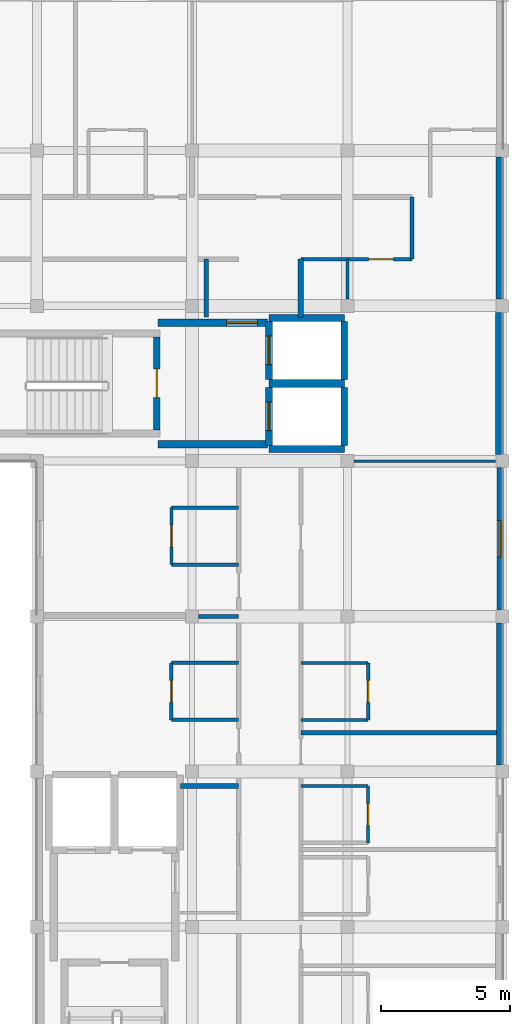
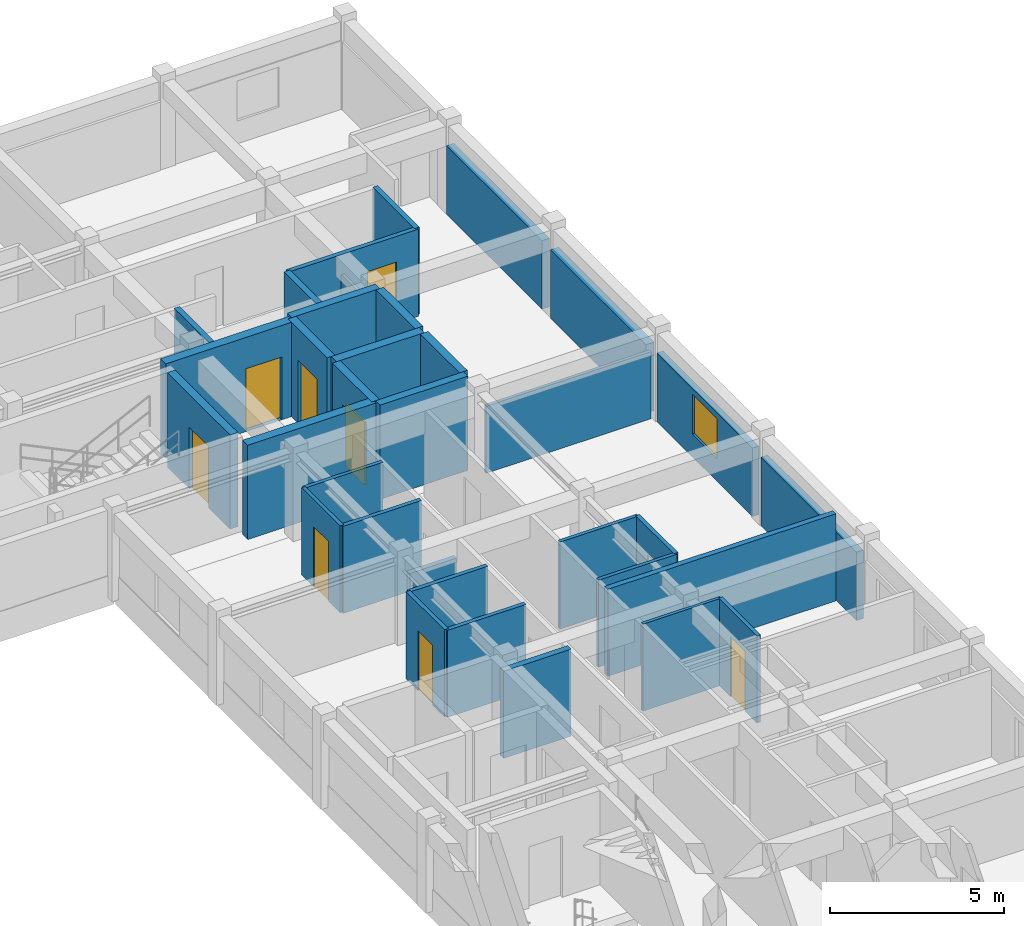
# One storey, part 6 of 14: 34 walls, 9 doors, 1 window, 10 openings.
"""IFC4 building model written with IfcOpenShell, lengths in metres."""

from ifc_helpers import new_model, si_unit, direction, frame, frame_2d, origin, place, context, subcontext, project, spatial, rectangle, extrude, material, layer, layer_set, type_object, element, fill, save


model = new_model("IFC4")

# Units and contexts
model_context = context("Model", 3, precision=1e-05, world=origin(), true_north=direction((0.0, 1.0)))
body_context = subcontext(model_context, "Body", "Model", "MODEL_VIEW")
ifc_project = project(units=[si_unit("LENGTHUNIT", "METRE"), si_unit("AREAUNIT", "SQUARE_METRE"), si_unit("VOLUMEUNIT", "CUBIC_METRE"), si_unit("PLANEANGLEUNIT", "RADIAN"), si_unit("MASSUNIT", "GRAM", prefix="KILO"), si_unit("THERMODYNAMICTEMPERATUREUNIT", "KELVIN"), si_unit("POWERUNIT", "WATT")], contexts=[model_context])

# Site, building, storey
site_placement = place(None, origin())
site = spatial("IfcSite", under=ifc_project, at=site_placement, CompositionType="ELEMENT")
building_placement = place(site_placement, origin())
building = spatial("IfcBuilding", under=site, at=building_placement, Name="Phaisarnlok Congress Hotel", CompositionType="ELEMENT")
storey_placement = place(building_placement, frame((0.0, 0.0, 44.699951171875)))
storey = spatial("IfcBuildingStorey", under=building, at=storey_placement, Name="L11", CompositionType="ELEMENT", Elevation=44.699951171875)

# Wall, opening, window
ifc_material_1 = material(Name="Concrete C40/50", Category="concrete")
ifc_layer_1 = layer(ifc_material_1, 0.2099609375, Name="Concrete C40/50")
ifc_layer_set_1 = layer_set([ifc_layer_1], Name="Concrete C40/50")
wall_type_1 = type_object("IfcWallType", Name="WL-EXT-210", PredefinedType="SOLIDWALL", material=ifc_layer_set_1)
wall_1_placement = place(storey_placement, frame((179.89501953125, 102.2548828125, 0.0), z_axis=(0.0, 0.0, 1.0), x_axis=(0.0, 1.0, 0.0)))
wall_1 = element("IfcWall", 1, at=wall_1_placement, inside=storey, type_object=wall_type_1, Name="Exterior wall EW-07 (L11)", PredefinedType="SOLIDWALL", context=body_context, shape_type="SweptSolid", body=[
    extrude(rectangle(XDim=5.490234375, YDim=0.2099609375, at=frame_2d((2.7451171875, 0.0))), origin(), (0.0, 0.0, 1.0), 2.400146484375),
])
opening_1_placement = place(wall_1_placement, frame((2.044921875, 0.0, 0.800048828125)))
opening_1 = element("IfcOpeningElement", 2, at=opening_1_placement, cuts=wall_1, Name="Opening W-13", PredefinedType="OPENING", context=body_context, shape_type="SweptSolid", body=[
    extrude(rectangle(XDim=1.39990234375, YDim=1.39990234375, at=frame_2d((0.699951171875, 0.699951171875))), frame((0.0, 0.114990234375, 0.0), z_axis=(0.0, -1.0, 0.0), x_axis=(1.0, 0.0, 0.0)), (0.0, 0.0, 1.0), 0.22998046875),
])
ifc_material_2 = material(Name="Thermally Broken Aluminium & Low-E Double Glazing", Category="aluminium")
window_type = type_object("IfcWindowType", Name="WIN-POD-1400", PartitioningType="SINGLE_PANEL", PredefinedType="WINDOW", material=ifc_material_2)
window_placement = place(opening_1_placement, origin())
window = element("IfcWindow", 3, at=window_placement, inside=storey, type_object=window_type, Name="Guestroom window W-13 (L11)", OverallHeight=1.39990234375, OverallWidth=1.39990234375, PartitioningType="SINGLE_PANEL", PredefinedType="WINDOW", context=body_context, shape_type="SweptSolid", body=[
    extrude(rectangle(XDim=1.39990234375, YDim=1.39990234375, at=frame_2d((0.699951171875, 0.699951171875))), frame((0.0, 0.030029296875, 0.0), z_axis=(0.0, -1.0, 0.0), x_axis=(1.0, 0.0, 0.0)), (0.0, 0.0, 1.0), 0.06005859375),
])
fill(opening_1, window)

# Walls
ifc_layer_2 = layer(ifc_material_1, 0.22998046875, Name="Concrete C40/50")
ifc_layer_set_2 = layer_set([ifc_layer_2], Name="Concrete C40/50")
wall_type_2 = type_object("IfcWallType", Name="WL-EXT-230", PredefinedType="SOLIDWALL", material=ifc_layer_set_2)
wall_2_placement = place(storey_placement, frame((179.885009765625, 96.2548828125, 0.0), z_axis=(0.0, 0.0, 1.0), x_axis=(0.0, 1.0, 0.0)))
element("IfcWall", 4, at=wall_2_placement, inside=storey, type_object=wall_type_2, Name="Exterior wall EW-06 (L11)", PredefinedType="SOLIDWALL", context=body_context, shape_type="SweptSolid", body=[
    extrude(rectangle(XDim=5.490234375, YDim=0.22998046875, at=frame_2d((2.7451171875, 0.0))), origin(), (0.0, 0.0, 1.0), 2.400146484375),
])
ifc_layer_3 = layer(ifc_material_1, 0.25, Name="Concrete C40/50")
ifc_layer_set_3 = layer_set([ifc_layer_3], Name="Concrete C40/50")
wall_type_3 = type_object("IfcWallType", Name="WL-EXT-250", PredefinedType="SOLIDWALL", material=ifc_layer_set_3)
wall_3_placement = place(storey_placement, frame((179.875, 114.2548828125, 0.0), z_axis=(0.0, 0.0, 1.0), x_axis=(0.0, 1.0, 0.0)))
element("IfcWall", 5, at=wall_3_placement, inside=storey, type_object=wall_type_3, Name="Exterior wall EW-05 (L11)", PredefinedType="SOLIDWALL", context=body_context, shape_type="SweptSolid", body=[
    extrude(rectangle(XDim=5.490234375, YDim=0.25, at=frame_2d((2.7451171875, 0.0))), origin(), (0.0, 0.0, 1.0), 2.400146484375),
])
ifc_layer_4 = layer(ifc_material_1, 0.27001953125, Name="Concrete C40/50")
ifc_layer_set_4 = layer_set([ifc_layer_4], Name="Concrete C40/50")
wall_type_4 = type_object("IfcWallType", Name="WL-EXT-270", PredefinedType="SOLIDWALL", material=ifc_layer_set_4)
wall_4_placement = place(storey_placement, frame((179.864990234375, 108.2548828125, 0.0), z_axis=(0.0, 0.0, 1.0), x_axis=(0.0, 1.0, 0.0)))
element("IfcWall", 6, at=wall_4_placement, inside=storey, type_object=wall_type_4, Name="Exterior wall EW-04 (L11)", PredefinedType="SOLIDWALL", context=body_context, shape_type="SweptSolid", body=[
    extrude(rectangle(XDim=5.490234375, YDim=0.27001953125, at=frame_2d((2.7451171875, 0.0))), origin(), (0.0, 0.0, 1.0), 2.400146484375),
])
ifc_material_3 = material(Name="Service Riser Shaftwall Partition", Category="gypsum")
ifc_layer_5 = layer(ifc_material_3, 0.10498046875, Name="Service Riser Shaftwall Partition")
ifc_layer_set_5 = layer_set([ifc_layer_5], Name="Service Riser Shaftwall Partition")
wall_type_5 = type_object("IfcWallType", Name="WL-INT-105", PredefinedType="PARTITIONING", material=ifc_layer_set_5)
wall_5_placement = place(storey_placement, frame((174.0, 114.2548828125, 0.0), z_axis=(0.0, 0.0, 1.0), x_axis=(0.0, 1.0, 0.0)))
element("IfcWall", 7, at=wall_5_placement, inside=storey, type_object=wall_type_5, Name="Interior partition wall IW-08 (L11)", PredefinedType="PARTITIONING", context=body_context, shape_type="SweptSolid", body=[
    extrude(rectangle(XDim=1.545166015625, YDim=0.10498046875, at=frame_2d((0.7724609375, 0.0))), origin(), (0.0, 0.0, 1.0), 2.35009765625),
])
wall_6_placement = place(storey_placement, frame((172.199951171875, 95.449951171875, 0.0), z_axis=(0.0, 0.0, 1.0), x_axis=(1.0, 0.0, 0.0)))
element("IfcWall", 8, at=wall_6_placement, inside=storey, type_object=wall_type_5, Name="Interior partition wall IW-08 (L11)", PredefinedType="PARTITIONING", context=body_context, shape_type="SweptSolid", body=[
    extrude(rectangle(XDim=2.60009765625, YDim=0.10498046875, at=frame_2d((1.300048828125, 0.0))), origin(), (0.0, 0.0, 1.0), 3.050048828125),
])
wall_7_placement = place(storey_placement, frame((174.2548828125, 108.0, 0.0), z_axis=(0.0, 0.0, 1.0), x_axis=(1.0, 0.0, 0.0)))
element("IfcWall", 9, at=wall_7_placement, inside=storey, type_object=wall_type_5, Name="Interior partition wall IW-08 (L11)", PredefinedType="PARTITIONING", context=body_context, shape_type="SweptSolid", body=[
    extrude(rectangle(XDim=5.465087890625, YDim=0.10498046875, at=frame_2d((2.732421875, 0.0))), origin(), (0.0, 0.0, 1.0), 2.35009765625),
])

# Wall, opening, door
ifc_material_4 = material(Name="Lightweight Metal-Stud Gypsum Partition", Category="gypsum")
ifc_layer_6 = layer(ifc_material_4, 0.1201171875, Name="Lightweight Metal-Stud Gypsum Partition")
ifc_layer_set_6 = layer_set([ifc_layer_6], Name="Lightweight Metal-Stud Gypsum Partition")
wall_type_6 = type_object("IfcWallType", Name="WL-INT-120", PredefinedType="PARTITIONING", material=ifc_layer_set_6)
wall_8_placement = place(storey_placement, frame((167.199951171875, 104.0, 0.0), z_axis=(0.0, 0.0, 1.0), x_axis=(0.0, 1.0, 0.0)))
wall_8 = element("IfcWall", 10, at=wall_8_placement, inside=storey, type_object=wall_type_6, Name="Interior partition wall IW-07 (L11)", PredefinedType="PARTITIONING", context=body_context, shape_type="SweptSolid", body=[
    extrude(rectangle(XDim=2.199951171875, YDim=0.1201171875, at=frame_2d((1.10009765625, 0.0))), origin(), (0.0, 0.0, 1.0), 3.050048828125),
])
opening_2_placement = place(wall_8_placement, frame((0.675048828125, 0.0, 0.0)))
opening_2 = element("IfcOpeningElement", 11, at=opening_2_placement, cuts=wall_8, Name="Opening D-0671", PredefinedType="OPENING", context=body_context, shape_type="SweptSolid", body=[
    extrude(rectangle(XDim=0.85009765625, YDim=2.10009765625, at=frame_2d((0.425048828125, 1.050048828125))), frame((0.0, 0.070068359375, 0.0), z_axis=(0.0, -1.0, 0.0), x_axis=(1.0, 0.0, 0.0)), (0.0, 0.0, 1.0), 0.14013671875),
])
ifc_material_5 = material(Name="Moisture-Resistant Lacquered Timber", Category="wood")
door_type_1 = type_object("IfcDoorType", Name="DR-BATH-850", OperationType="NOTDEFINED", PredefinedType="DOOR", material=ifc_material_5)
door_1_placement = place(opening_2_placement, origin())
door_1 = element("IfcDoor", 12, at=door_1_placement, inside=storey, type_object=door_type_1, Name="Interior door D-0671 (L11)", OperationType="SINGLE_SWING_LEFT", OverallHeight=2.10009765625, OverallWidth=0.85009765625, PredefinedType="DOOR", context=body_context, shape_type="SweptSolid", body=[
    extrude(rectangle(XDim=0.85009765625, YDim=2.10009765625, at=frame_2d((0.425048828125, 1.050048828125))), frame((0.0, 0.02490234375, 0.0), z_axis=(0.0, -1.0, 0.0), x_axis=(1.0, 0.0, 0.0)), (0.0, 0.0, 1.0), 0.050048828125),
])
fill(opening_2, door_1)

wall_9_placement = place(storey_placement, frame((174.800048828125, 93.25, 0.0), z_axis=(0.0, 0.0, 1.0), x_axis=(0.0, 1.0, 0.0)))
wall_9 = element("IfcWall", 13, at=wall_9_placement, inside=storey, type_object=wall_type_6, Name="Interior partition wall IW-07 (L11)", PredefinedType="PARTITIONING", context=body_context, shape_type="SweptSolid", body=[
    extrude(rectangle(XDim=2.199951171875, YDim=0.1201171875, at=frame_2d((1.10009765625, 0.0))), origin(), (0.0, 0.0, 1.0), 3.050048828125),
])
opening_3_placement = place(wall_9_placement, frame((0.675048828125, 0.0, 0.0)))
opening_3 = element("IfcOpeningElement", 14, at=opening_3_placement, cuts=wall_9, Name="Opening D-0662", PredefinedType="OPENING", context=body_context, shape_type="SweptSolid", body=[
    extrude(rectangle(XDim=0.85009765625, YDim=2.10009765625, at=frame_2d((0.425048828125, 1.050048828125))), frame((0.0, 0.070068359375, 0.0), z_axis=(0.0, -1.0, 0.0), x_axis=(1.0, 0.0, 0.0)), (0.0, 0.0, 1.0), 0.14013671875),
])
door_2_placement = place(opening_3_placement, origin())
door_2 = element("IfcDoor", 15, at=door_2_placement, inside=storey, type_object=door_type_1, Name="Interior door D-0662 (L11)", OperationType="SINGLE_SWING_RIGHT", OverallHeight=2.10009765625, OverallWidth=0.85009765625, PredefinedType="DOOR", context=body_context, shape_type="SweptSolid", body=[
    extrude(rectangle(XDim=0.85009765625, YDim=2.10009765625, at=frame_2d((0.425048828125, 1.050048828125))), frame((0.0, 0.02490234375, 0.0), z_axis=(0.0, -1.0, 0.0), x_axis=(1.0, 0.0, 0.0)), (0.0, 0.0, 1.0), 0.050048828125),
])
fill(opening_3, door_2)

# Walls
for number, where, z_axis, x_axis, name in (
    (16, (172.199951171875, 98.0, 0.0), (0.0, 0.0, 1.0), (1.0, 0.0, 0.0), "Interior partition wall IW-07 (L11)"),
    (17, (172.199951171875, 100.199951171875, 0.0), (0.0, 0.0, 1.0), (1.0, 0.0, 0.0), "Interior partition wall IW-07 (L11)"),
    (18, (167.199951171875, 106.199951171875, 0.0), (0.0, 0.0, 1.0), (1.0, 0.0, 0.0), "Interior partition wall IW-07 (L11)"),
):
    element("IfcWall", number, at=place(storey_placement, frame(where, z_axis=z_axis, x_axis=x_axis)), inside=storey, type_object=wall_type_6, Name=name, PredefinedType="PARTITIONING", context=body_context, shape_type="SweptSolid", body=[
        extrude(rectangle(XDim=2.60009765625, YDim=0.1201171875, at=frame_2d((1.300048828125, 0.0))), origin(), (0.0, 0.0, 1.0), 3.050048828125),
    ])

# Wall, opening, door
ifc_material_6 = material(Name="Moisture-Resistant Gypsum Partition", Category="gypsum")
ifc_layer_7 = layer(ifc_material_6, 0.135009765625, Name="Moisture-Resistant Gypsum Partition")
ifc_layer_set_7 = layer_set([ifc_layer_7], Name="Moisture-Resistant Gypsum Partition")
wall_type_7 = type_object("IfcWallType", Name="WL-INT-135", PredefinedType="PARTITIONING", material=ifc_layer_set_7)
wall_10_placement = place(storey_placement, frame((167.199951171875, 98.0, 0.0), z_axis=(0.0, 0.0, 1.0), x_axis=(0.0, 1.0, 0.0)))
wall_10 = element("IfcWall", 19, at=wall_10_placement, inside=storey, type_object=wall_type_7, Name="Interior partition wall IW-06 (L11)", PredefinedType="PARTITIONING", context=body_context, shape_type="SweptSolid", body=[
    extrude(rectangle(XDim=2.199951171875, YDim=0.135009765625, at=frame_2d((1.10009765625, 0.0))), origin(), (0.0, 0.0, 1.0), 3.050048828125),
])
opening_4_placement = place(wall_10_placement, frame((0.675048828125, 0.0, 0.0)))
opening_4 = element("IfcOpeningElement", 20, at=opening_4_placement, cuts=wall_10, Name="Opening D-0669", PredefinedType="OPENING", context=body_context, shape_type="SweptSolid", body=[
    extrude(rectangle(XDim=0.85009765625, YDim=2.10009765625, at=frame_2d((0.425048828125, 1.050048828125))), frame((0.0, 0.07763671875, 0.0), z_axis=(0.0, -1.0, 0.0), x_axis=(1.0, 0.0, 0.0)), (0.0, 0.0, 1.0), 0.155029296875),
])
door_3_placement = place(opening_4_placement, origin())
door_3 = element("IfcDoor", 21, at=door_3_placement, inside=storey, type_object=door_type_1, Name="Interior door D-0669 (L11)", OperationType="SINGLE_SWING_LEFT", OverallHeight=2.10009765625, OverallWidth=0.85009765625, PredefinedType="DOOR", context=body_context, shape_type="SweptSolid", body=[
    extrude(rectangle(XDim=0.85009765625, YDim=2.10009765625, at=frame_2d((0.425048828125, 1.050048828125))), frame((0.0, 0.02490234375, 0.0), z_axis=(0.0, -1.0, 0.0), x_axis=(1.0, 0.0, 0.0)), (0.0, 0.0, 1.0), 0.050048828125),
])
fill(opening_4, door_3)

wall_11_placement = place(storey_placement, frame((174.800048828125, 98.0, 0.0), z_axis=(0.0, 0.0, 1.0), x_axis=(0.0, 1.0, 0.0)))
wall_11 = element("IfcWall", 22, at=wall_11_placement, inside=storey, type_object=wall_type_7, Name="Interior partition wall IW-06 (L11)", PredefinedType="PARTITIONING", context=body_context, shape_type="SweptSolid", body=[
    extrude(rectangle(XDim=2.199951171875, YDim=0.135009765625, at=frame_2d((1.10009765625, 0.0))), origin(), (0.0, 0.0, 1.0), 3.050048828125),
])
opening_5_placement = place(wall_11_placement, frame((0.675048828125, 0.0, 0.0)))
opening_5 = element("IfcOpeningElement", 23, at=opening_5_placement, cuts=wall_11, Name="Opening D-0664", PredefinedType="OPENING", context=body_context, shape_type="SweptSolid", body=[
    extrude(rectangle(XDim=0.85009765625, YDim=2.10009765625, at=frame_2d((0.425048828125, 1.050048828125))), frame((0.0, 0.07763671875, 0.0), z_axis=(0.0, -1.0, 0.0), x_axis=(1.0, 0.0, 0.0)), (0.0, 0.0, 1.0), 0.155029296875),
])
door_4_placement = place(opening_5_placement, origin())
door_4 = element("IfcDoor", 24, at=door_4_placement, inside=storey, type_object=door_type_1, Name="Interior door D-0664 (L11)", OperationType="SINGLE_SWING_RIGHT", OverallHeight=2.10009765625, OverallWidth=0.85009765625, PredefinedType="DOOR", context=body_context, shape_type="SweptSolid", body=[
    extrude(rectangle(XDim=0.85009765625, YDim=2.10009765625, at=frame_2d((0.425048828125, 1.050048828125))), frame((0.0, 0.02490234375, 0.0), z_axis=(0.0, -1.0, 0.0), x_axis=(1.0, 0.0, 0.0)), (0.0, 0.0, 1.0), 0.050048828125),
])
fill(opening_5, door_4)

# Walls
for number, where, z_axis, x_axis, name in (
    (25, (167.199951171875, 98.0, 0.0), (0.0, 0.0, 1.0), (1.0, 0.0, 0.0), "Interior partition wall IW-06 (L11)"),
    (26, (167.199951171875, 100.199951171875, 0.0), (0.0, 0.0, 1.0), (1.0, 0.0, 0.0), "Interior partition wall IW-06 (L11)"),
    (27, (167.199951171875, 104.0, 0.0), (0.0, 0.0, 1.0), (1.0, 0.0, 0.0), "Interior partition wall IW-06 (L11)"),
):
    element("IfcWall", number, at=place(storey_placement, frame(where, z_axis=z_axis, x_axis=x_axis)), inside=storey, type_object=wall_type_7, Name=name, PredefinedType="PARTITIONING", context=body_context, shape_type="SweptSolid", body=[
        extrude(rectangle(XDim=2.60009765625, YDim=0.135009765625, at=frame_2d((1.300048828125, 0.0))), origin(), (0.0, 0.0, 1.0), 3.050048828125),
    ])

# Wall, opening, door
ifc_material_7 = material(Name="Acoustic Gypsum Board & Mineral Wool", Category="gypsum")
ifc_layer_8 = layer(ifc_material_7, 0.14990234375, Name="Acoustic Gypsum Board & Mineral Wool")
ifc_layer_set_8 = layer_set([ifc_layer_8], Name="Acoustic Gypsum Board & Mineral Wool")
wall_type_8 = type_object("IfcWallType", Name="WL-INT-150", PredefinedType="PARTITIONING", material=ifc_layer_set_8)
wall_12_placement = place(storey_placement, frame((172.199951171875, 115.800048828125, 0.0), z_axis=(0.0, 0.0, 1.0), x_axis=(1.0, 0.0, 0.0)))
wall_12 = element("IfcWall", 28, at=wall_12_placement, inside=storey, type_object=wall_type_8, Name="Interior partition wall IW-05 (L11)", PredefinedType="PARTITIONING", context=body_context, shape_type="SweptSolid", body=[
    extrude(rectangle(XDim=4.300048828125, YDim=0.14990234375, at=frame_2d((2.14990234375, 0.0))), origin(), (0.0, 0.0, 1.0), 3.050048828125),
])
opening_6_placement = place(wall_12_placement, frame((2.6201171875, 0.0, 0.0)))
opening_6 = element("IfcOpeningElement", 29, at=opening_6_placement, cuts=wall_12, Name="Opening D-0666", PredefinedType="OPENING", context=body_context, shape_type="SweptSolid", body=[
    extrude(rectangle(XDim=0.9599609375, YDim=2.14990234375, at=frame_2d((0.47998046875, 1.074951171875))), frame((0.0, 0.0849609375, 0.0), z_axis=(0.0, -1.0, 0.0), x_axis=(1.0, 0.0, 0.0)), (0.0, 0.0, 1.0), 0.169921875),
])
ifc_material_8 = material(Name="Fire-Rated Steel Frame & Timber Leaf", Category="steel")
door_type_2 = type_object("IfcDoorType", Name="DR-FD60-950", OperationType="NOTDEFINED", PredefinedType="DOOR", material=ifc_material_8)
door_5_placement = place(opening_6_placement, origin())
door_5 = element("IfcDoor", 30, at=door_5_placement, inside=storey, type_object=door_type_2, Name="Interior door D-0666 (L11)", OperationType="SINGLE_SWING_RIGHT", OverallHeight=2.14990234375, OverallWidth=0.9599609375, PredefinedType="DOOR", context=body_context, shape_type="SweptSolid", body=[
    extrude(rectangle(XDim=0.9599609375, YDim=2.14990234375, at=frame_2d((0.47998046875, 1.074951171875))), frame((0.0, 0.02490234375, 0.0), z_axis=(0.0, -1.0, 0.0), x_axis=(1.0, 0.0, 0.0)), (0.0, 0.0, 1.0), 0.050048828125),
])
fill(opening_6, door_5)

# Walls
ifc_material_9 = material(Name="Double-Stud Acoustic Gypsum Partition", Category="gypsum")
ifc_layer_9 = layer(ifc_material_9, 0.159912109375, Name="Double-Stud Acoustic Gypsum Partition")
ifc_layer_set_9 = layer_set([ifc_layer_9], Name="Double-Stud Acoustic Gypsum Partition")
wall_type_9 = type_object("IfcWallType", Name="WL-INT-160", PredefinedType="PARTITIONING", material=ifc_layer_set_9)
wall_13_placement = place(storey_placement, frame((176.5, 115.800048828125, 0.0), z_axis=(0.0, 0.0, 1.0), x_axis=(0.0, 1.0, 0.0)))
element("IfcWall", 31, at=wall_13_placement, inside=storey, type_object=wall_type_9, Name="Interior partition wall IW-04 (L11)", PredefinedType="PARTITIONING", context=body_context, shape_type="SweptSolid", body=[
    extrude(rectangle(XDim=2.39990234375, YDim=0.159912109375, at=frame_2d((1.199951171875, 0.0))), origin(), (0.0, 0.0, 1.0), 3.050048828125),
])
wall_14_placement = place(storey_placement, frame((168.2548828125, 102.0, 0.0), z_axis=(0.0, 0.0, 1.0), x_axis=(1.0, 0.0, 0.0)))
element("IfcWall", 32, at=wall_14_placement, inside=storey, type_object=wall_type_9, Name="Interior partition wall IW-04 (L11)", PredefinedType="PARTITIONING", context=body_context, shape_type="SweptSolid", body=[
    extrude(rectangle(XDim=1.545166015625, YDim=0.159912109375, at=frame_2d((0.7724609375, 0.0))), origin(), (0.0, 0.0, 1.0), 2.25),
])
ifc_material_10 = material(Name="Autoclaved Aerated Concrete Block", Category="concrete")
ifc_layer_10 = layer(ifc_material_10, 0.179931640625, Name="Autoclaved Aerated Concrete Block")
ifc_layer_set_10 = layer_set([ifc_layer_10], Name="Autoclaved Aerated Concrete Block")
wall_type_10 = type_object("IfcWallType", Name="WL-INT-180", PredefinedType="PARTITIONING", material=ifc_layer_set_10)
wall_15_placement = place(storey_placement, frame((168.550048828125, 113.56005859375, 0.0), z_axis=(0.0, 0.0, 1.0), x_axis=(0.0, 1.0, 0.0)))
element("IfcWall", 33, at=wall_15_placement, inside=storey, type_object=wall_type_10, Name="Interior partition wall IW-03 (L11)", PredefinedType="PARTITIONING", context=body_context, shape_type="SweptSolid", body=[
    extrude(rectangle(XDim=2.239990234375, YDim=0.179931640625, at=frame_2d((1.1201171875, 0.0))), origin(), (0.0, 0.0, 1.0), 3.050048828125),
])
wall_16_placement = place(storey_placement, frame((172.199951171875, 97.5, 0.0), z_axis=(0.0, 0.0, 1.0), x_axis=(1.0, 0.0, 0.0)))
element("IfcWall", 34, at=wall_16_placement, inside=storey, type_object=wall_type_10, Name="Interior partition wall IW-03 (L11)", PredefinedType="PARTITIONING", context=body_context, shape_type="SweptSolid", body=[
    extrude(rectangle(XDim=7.56494140625, YDim=0.179931640625, at=frame_2d((3.782470703125, 0.0))), origin(), (0.0, 0.0, 1.0), 3.050048828125),
])
ifc_layer_11 = layer(ifc_material_10, 0.199951171875, Name="Autoclaved Aerated Concrete Block")
ifc_layer_set_11 = layer_set([ifc_layer_11], Name="Autoclaved Aerated Concrete Block")
wall_type_11 = type_object("IfcWallType", Name="WL-INT-200", PredefinedType="PARTITIONING", material=ifc_layer_set_11)
for number, where, z_axis, x_axis, name in (
    (35, (172.199951171875, 113.56005859375, 0.0), (0.0, 0.0, 1.0), (0.0, 1.0, 0.0), "Interior partition wall IW-02 (L11)"),
    (36, (167.56005859375, 95.449951171875, 0.0), (0.0, 0.0, 1.0), (1.0, 0.0, 0.0), "Interior partition wall IW-02 (L11)"),
):
    element("IfcWall", number, at=place(storey_placement, frame(where, z_axis=z_axis, x_axis=x_axis)), inside=storey, type_object=wall_type_11, Name=name, PredefinedType="PARTITIONING", context=body_context, shape_type="SweptSolid", body=[
        extrude(rectangle(XDim=2.239990234375, YDim=0.199951171875, at=frame_2d((1.1201171875, 0.0))), origin(), (0.0, 0.0, 1.0), 3.050048828125),
    ])

# Wall, opening, door
ifc_material_11 = material(Name="Concrete C50/60", Category="concrete")
ifc_layer_12 = layer(ifc_material_11, 0.260009765625, Name="Concrete C50/60")
ifc_layer_set_12 = layer_set([ifc_layer_12], Name="Concrete C50/60")
wall_type_12 = type_object("IfcWallType", Name="WL-SHR-260", PredefinedType="SHEAR", material=ifc_layer_set_12)
wall_17_placement = place(storey_placement, frame((166.6298828125, 109.199951171875, 0.0), z_axis=(0.0, 0.0, 1.0), x_axis=(0.0, 1.0, 0.0)))
wall_17 = element("IfcWall", 37, at=wall_17_placement, inside=storey, type_object=wall_type_12, Name="Stair shaft shear wall SW-04 (CORE-1 L11)", PredefinedType="SHEAR", context=body_context, shape_type="SweptSolid", body=[
    extrude(rectangle(XDim=3.60009765625, YDim=0.260009765625, at=frame_2d((1.800048828125, 0.0))), origin(), (0.0, 0.0, 1.0), 3.300048828125),
])
opening_7_placement = place(wall_17_placement, frame((1.25, 0.0, 0.0)))
opening_7 = element("IfcOpeningElement", 38, at=opening_7_placement, cuts=wall_17, Name="Opening FD-013", PredefinedType="OPENING", context=body_context, shape_type="SweptSolid", body=[
    extrude(rectangle(XDim=1.10009765625, YDim=2.14990234375, at=frame_2d((0.550048828125, 1.074951171875))), frame((0.0, 0.14013671875, 0.0), z_axis=(0.0, -1.0, 0.0), x_axis=(1.0, 0.0, 0.0)), (0.0, 0.0, 1.0), 0.280029296875),
])
door_type_3 = type_object("IfcDoorType", Name="DR-FD60-1100", OperationType="NOTDEFINED", PredefinedType="DOOR", material=ifc_material_8)
door_6_placement = place(opening_7_placement, origin())
door_6 = element("IfcDoor", 39, at=door_6_placement, inside=storey, type_object=door_type_3, Name="Stair enclosure fire door FD-013 (L11)", OperationType="SINGLE_SWING_RIGHT", OverallHeight=2.14990234375, OverallWidth=1.10009765625, PredefinedType="DOOR", context=body_context, shape_type="SweptSolid", body=[
    extrude(rectangle(XDim=1.10009765625, YDim=2.14990234375, at=frame_2d((0.550048828125, 1.074951171875))), frame((0.0, 0.02490234375, 0.0), z_axis=(0.0, -1.0, 0.0), x_axis=(1.0, 0.0, 0.0)), (0.0, 0.0, 1.0), 0.050048828125),
])
fill(opening_7, door_6)

# Walls
wall_18_placement = place(storey_placement, frame((170.969970703125, 108.469970703125, 0.0), z_axis=(0.0, 0.0, 1.0), x_axis=(1.0, 0.0, 0.0)))
element("IfcWall", 40, at=wall_18_placement, inside=storey, type_object=wall_type_12, Name="Lift shaft shear wall SW-04 (LF-FF1 L11)", PredefinedType="SHEAR", context=body_context, shape_type="SweptSolid", body=[
    extrude(rectangle(XDim=2.909912109375, YDim=0.260009765625, at=frame_2d((1.455078125, 0.0))), origin(), (0.0, 0.0, 1.0), 3.300048828125),
])
wall_19_placement = place(storey_placement, frame((173.8798828125, 108.60009765625, 0.0), z_axis=(0.0, 0.0, 1.0), x_axis=(0.0, 1.0, 0.0)))
element("IfcWall", 41, at=wall_19_placement, inside=storey, type_object=wall_type_12, Name="Lift shaft shear wall SW-04 (LF-FF1 L11)", PredefinedType="SHEAR", context=body_context, shape_type="SweptSolid", body=[
    extrude(rectangle(XDim=2.25, YDim=0.260009765625, at=frame_2d((1.125, 0.0))), origin(), (0.0, 0.0, 1.0), 3.300048828125),
])

# Wall, opening, door
wall_20_placement = place(storey_placement, frame((170.969970703125, 108.60009765625, 0.0), z_axis=(0.0, 0.0, 1.0), x_axis=(0.0, 1.0, 0.0)))
wall_20 = element("IfcWall", 42, at=wall_20_placement, inside=storey, type_object=wall_type_12, Name="Lift shaft front wall SW-04 (LF-FF1 L11)", PredefinedType="SHEAR", context=body_context, shape_type="SweptSolid", body=[
    extrude(rectangle(XDim=2.25, YDim=0.260009765625, at=frame_2d((1.125, 0.0))), origin(), (0.0, 0.0, 1.0), 3.300048828125),
])
opening_8_placement = place(wall_20_placement, frame((0.574951171875, 0.0, 0.0)))
opening_8 = element("IfcOpeningElement", 43, at=opening_8_placement, cuts=wall_20, Name="Opening LD-013", PredefinedType="OPENING", context=body_context, shape_type="SweptSolid", body=[
    extrude(rectangle(XDim=1.10009765625, YDim=2.199951171875, at=frame_2d((0.550048828125, 1.10009765625))), frame((0.0, 0.14013671875, 0.0), z_axis=(0.0, -1.0, 0.0), x_axis=(1.0, 0.0, 0.0)), (0.0, 0.0, 1.0), 0.280029296875),
])
ifc_material_12 = material(Name="Brushed Stainless Steel Grade 304", Category="steel")
door_type_4 = type_object("IfcDoorType", Name="DR-LD-1100", OperationType="DOUBLE_DOOR_SLIDING", PredefinedType="DOOR", material=ifc_material_12)
door_7_placement = place(opening_8_placement, origin())
door_7 = element("IfcDoor", 44, at=door_7_placement, inside=storey, type_object=door_type_4, Name="Lift landing sliding door LD-013 (LF-FF1 L11)", OperationType="DOUBLE_DOOR_SLIDING", OverallHeight=2.199951171875, OverallWidth=1.10009765625, PredefinedType="DOOR", context=body_context, shape_type="SweptSolid", body=[
    extrude(rectangle(XDim=1.10009765625, YDim=2.199951171875, at=frame_2d((0.550048828125, 1.10009765625))), frame((0.0, 0.02490234375, 0.0), z_axis=(0.0, -1.0, 0.0), x_axis=(1.0, 0.0, 0.0)), (0.0, 0.0, 1.0), 0.050048828125),
])
fill(opening_8, door_7)

# Walls
wall_21_placement = place(storey_placement, frame((170.969970703125, 113.530029296875, 0.0), z_axis=(0.0, 0.0, 1.0), x_axis=(1.0, 0.0, 0.0)))
element("IfcWall", 45, at=wall_21_placement, inside=storey, type_object=wall_type_12, Name="Lift shaft shear wall SW-04 (LF-HP1 L11)", PredefinedType="SHEAR", context=body_context, shape_type="SweptSolid", body=[
    extrude(rectangle(XDim=2.909912109375, YDim=0.260009765625, at=frame_2d((1.455078125, 0.0))), origin(), (0.0, 0.0, 1.0), 3.300048828125),
])
wall_22_placement = place(storey_placement, frame((173.8798828125, 111.14990234375, 0.0), z_axis=(0.0, 0.0, 1.0), x_axis=(0.0, 1.0, 0.0)))
element("IfcWall", 46, at=wall_22_placement, inside=storey, type_object=wall_type_12, Name="Lift shaft shear wall SW-04 (LF-HP1 L11)", PredefinedType="SHEAR", context=body_context, shape_type="SweptSolid", body=[
    extrude(rectangle(XDim=2.25, YDim=0.260009765625, at=frame_2d((1.125, 0.0))), origin(), (0.0, 0.0, 1.0), 3.300048828125),
])

# Wall, opening, door
wall_23_placement = place(storey_placement, frame((170.969970703125, 111.14990234375, 0.0), z_axis=(0.0, 0.0, 1.0), x_axis=(0.0, 1.0, 0.0)))
wall_23 = element("IfcWall", 47, at=wall_23_placement, inside=storey, type_object=wall_type_12, Name="Lift shaft front wall SW-04 (LF-HP1 L11)", PredefinedType="SHEAR", context=body_context, shape_type="SweptSolid", body=[
    extrude(rectangle(XDim=2.25, YDim=0.260009765625, at=frame_2d((1.125, 0.0))), origin(), (0.0, 0.0, 1.0), 3.300048828125),
])
opening_9_placement = place(wall_23_placement, frame((0.574951171875, 0.0, 0.0)))
opening_9 = element("IfcOpeningElement", 48, at=opening_9_placement, cuts=wall_23, Name="Opening LD-028", PredefinedType="OPENING", context=body_context, shape_type="SweptSolid", body=[
    extrude(rectangle(XDim=1.10009765625, YDim=2.199951171875, at=frame_2d((0.550048828125, 1.10009765625))), frame((0.0, 0.14013671875, 0.0), z_axis=(0.0, -1.0, 0.0), x_axis=(1.0, 0.0, 0.0)), (0.0, 0.0, 1.0), 0.280029296875),
])
door_8_placement = place(opening_9_placement, origin())
door_8 = element("IfcDoor", 49, at=door_8_placement, inside=storey, type_object=door_type_4, Name="Lift landing sliding door LD-028 (LF-HP1 L11)", OperationType="DOUBLE_DOOR_SLIDING", OverallHeight=2.199951171875, OverallWidth=1.10009765625, PredefinedType="DOOR", context=body_context, shape_type="SweptSolid", body=[
    extrude(rectangle(XDim=1.10009765625, YDim=2.199951171875, at=frame_2d((0.550048828125, 1.10009765625))), frame((0.0, 0.02490234375, 0.0), z_axis=(0.0, -1.0, 0.0), x_axis=(1.0, 0.0, 0.0)), (0.0, 0.0, 1.0), 0.050048828125),
])
fill(opening_9, door_8)

# Wall
ifc_layer_13 = layer(ifc_material_11, 0.300048828125, Name="Concrete C50/60")
ifc_layer_set_13 = layer_set([ifc_layer_13], Name="Concrete C50/60")
wall_type_13 = type_object("IfcWallType", Name="WL-SHR-300", PredefinedType="SHEAR", material=ifc_layer_set_13)
wall_24_placement = place(storey_placement, frame((170.969970703125, 111.0, 0.0), z_axis=(0.0, 0.0, 1.0), x_axis=(1.0, 0.0, 0.0)))
element("IfcWall", 50, at=wall_24_placement, inside=storey, type_object=wall_type_13, Name="Lift shaft divider shear wall SW-03 (LF-FF1 L11)", PredefinedType="SHEAR", context=body_context, shape_type="SweptSolid", body=[
    extrude(rectangle(XDim=2.909912109375, YDim=0.300048828125, at=frame_2d((1.455078125, 0.0))), origin(), (0.0, 0.0, 1.0), 3.300048828125),
])

# Wall, opening, door
wall_25_placement = place(storey_placement, frame((166.679931640625, 113.35009765625, 0.0), z_axis=(0.0, 0.0, 1.0), x_axis=(1.0, 0.0, 0.0)))
wall_25 = element("IfcWall", 51, at=wall_25_placement, inside=storey, type_object=wall_type_13, Name="Core lobby EI-120 wall SW-03 (CORE-1 L11)", PredefinedType="SHEAR", context=body_context, shape_type="SweptSolid", body=[
    extrude(rectangle(XDim=4.239990234375, YDim=0.300048828125, at=frame_2d((2.1201171875, 0.0))), origin(), (0.0, 0.0, 1.0), 3.300048828125),
])
opening_10_placement = place(wall_25_placement, frame((2.64990234375, 0.0, 0.0)))
opening_10 = element("IfcOpeningElement", 52, at=opening_10_placement, cuts=wall_25, Name="Opening FD-028", PredefinedType="OPENING", context=body_context, shape_type="SweptSolid", body=[
    extrude(rectangle(XDim=1.199951171875, YDim=2.199951171875, at=frame_2d((0.60009765625, 1.10009765625))), frame((0.0, 0.16015625, 0.0), z_axis=(0.0, -1.0, 0.0), x_axis=(1.0, 0.0, 0.0)), (0.0, 0.0, 1.0), 0.320068359375),
])
door_type_5 = type_object("IfcDoorType", Name="DR-FD60-1200", OperationType="NOTDEFINED", PredefinedType="DOOR", material=ifc_material_8)
door_9_placement = place(opening_10_placement, origin())
door_9 = element("IfcDoor", 53, at=door_9_placement, inside=storey, type_object=door_type_5, Name="Firefighting lobby entrance door FD-028 (CORE-1 L11)", OperationType="SINGLE_SWING_LEFT", OverallHeight=2.199951171875, OverallWidth=1.199951171875, PredefinedType="DOOR", context=body_context, shape_type="SweptSolid", body=[
    extrude(rectangle(XDim=1.199951171875, YDim=2.199951171875, at=frame_2d((0.60009765625, 1.10009765625))), frame((0.0, 0.02490234375, 0.0), z_axis=(0.0, -1.0, 0.0), x_axis=(1.0, 0.0, 0.0)), (0.0, 0.0, 1.0), 0.050048828125),
])
fill(opening_10, door_9)

# Wall
wall_26_placement = place(storey_placement, frame((166.679931640625, 108.64990234375, 0.0), z_axis=(0.0, 0.0, 1.0), x_axis=(1.0, 0.0, 0.0)))
element("IfcWall", 54, at=wall_26_placement, inside=storey, type_object=wall_type_13, Name="Core lobby EI-120 wall SW-03 (CORE-1 L11)", PredefinedType="SHEAR", context=body_context, shape_type="SweptSolid", body=[
    extrude(rectangle(XDim=4.239990234375, YDim=0.300048828125, at=frame_2d((2.1201171875, 0.0))), origin(), (0.0, 0.0, 1.0), 3.300048828125),
])

save(model, "model.ifc")
